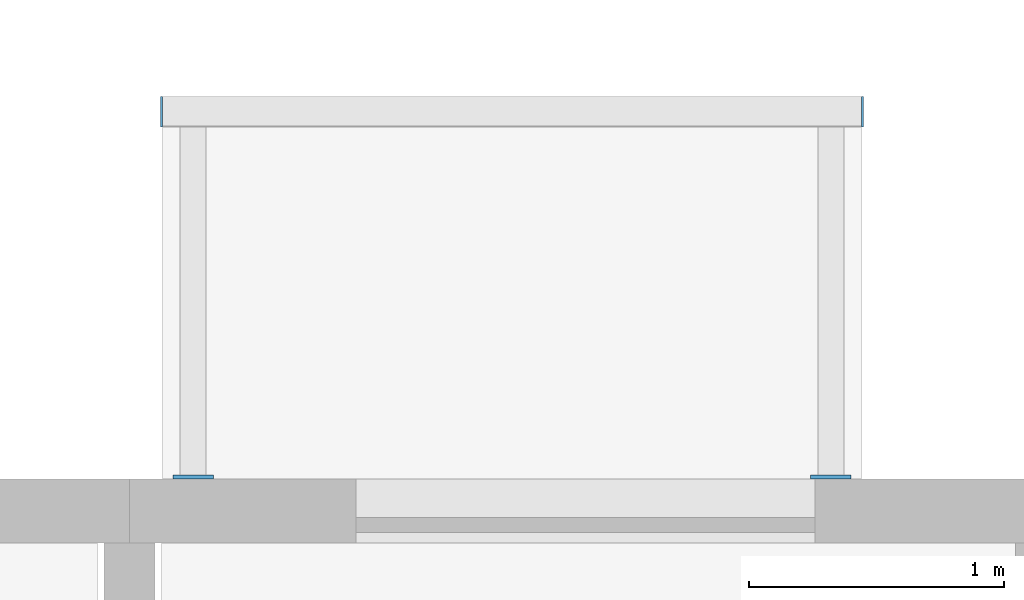
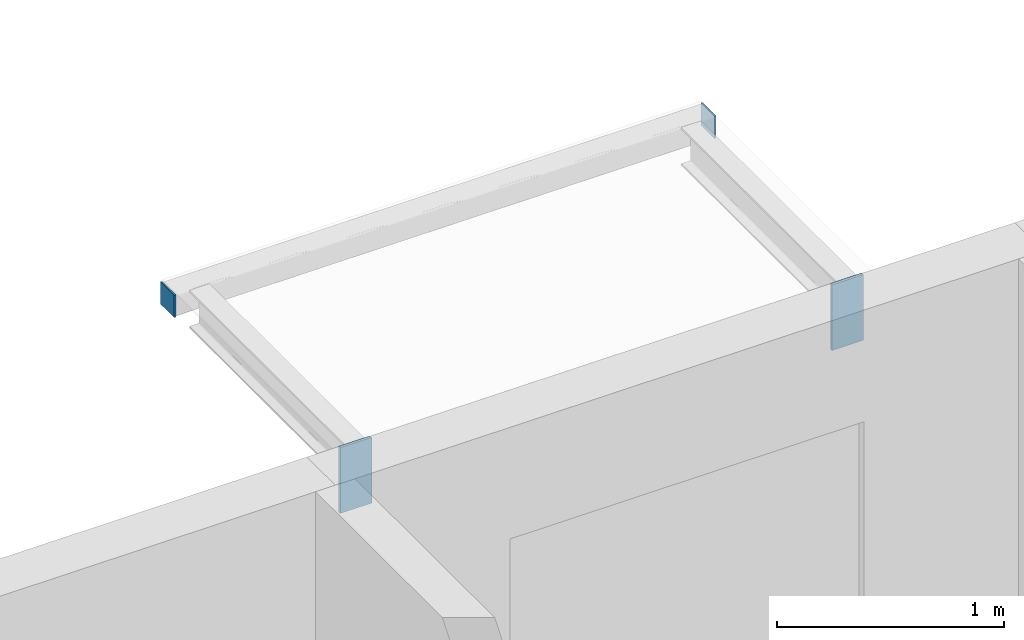
# One storey, part 68 of 99: 4 discrete accessories.
"""IFC4 building model written with IfcOpenShell, lengths in metres."""

from ifc_helpers import new_model, si_unit, direction, frame, origin, origin_2d, place, context, subcontext, project, spatial, rectangle, extrude, material, layer, layer_set, type_object, element, save


model = new_model("IFC4")

# Units and contexts
model_context = context("Model", 3, precision=1e-05, world=origin(), true_north=direction((0.0, 1.0)))
body_context = subcontext(model_context, "Body", "Model", "MODEL_VIEW")
ifc_project = project(units=[si_unit("LENGTHUNIT", "METRE"), si_unit("AREAUNIT", "SQUARE_METRE"), si_unit("VOLUMEUNIT", "CUBIC_METRE"), si_unit("PLANEANGLEUNIT", "RADIAN"), si_unit("MASSUNIT", "GRAM", prefix="KILO")], contexts=[model_context])

# Site, building, storey
site_placement = place(None, origin())
site = spatial("IfcSite", under=ifc_project, at=site_placement, CompositionType="ELEMENT")
building_placement = place(site_placement, origin())
building = spatial("IfcBuilding", under=site, at=building_placement, Name="Ridgestep Commons", CompositionType="ELEMENT")
storey_placement = place(building_placement, frame((0.0, 0.0, 15.0)))
storey = spatial("IfcBuildingStorey", under=building, at=storey_placement, Name="L05", CompositionType="ELEMENT", Elevation=15.0)

# Discrete accessories
ifc_material_1 = material(Name="Weathering steel S355J2W", Category="steel")
ifc_layer_1 = layer(ifc_material_1, 0.014892578125)
ifc_layer_set_1 = layer_set([ifc_layer_1], Name="Tray bracket plate 15")
discrete_accessory_type_1 = type_object("IfcDiscreteAccessoryType", Name="Tray bracket plate 15", PredefinedType="BRACKET", material=ifc_layer_set_1)
for number, where, z_axis, x_axis, name in (
    (1, (184.25, 23.007568359375, 2.63671875), (0.0, 0.0, 1.0), (1.0, 0.0, 0.0), "Tray bracket D3T2-06.1"),
    (2, (186.75, 23.007568359375, 2.63671875), (0.0, 0.0, 1.0), (1.0, 0.0, 0.0), "Tray bracket D3T2-06.2"),
):
    element("IfcDiscreteAccessory", number, at=place(storey_placement, frame(where, z_axis=z_axis, x_axis=x_axis)), inside=storey, type_object=discrete_accessory_type_1, Name=name, PredefinedType="BRACKET", context=body_context, shape_type="SweptSolid", body=[
        extrude(rectangle(XDim=0.159912109375, YDim=0.014892578125, at=origin_2d()), origin(), (0.0, 0.0, 1.0), 0.353271484375),
    ])
ifc_material_2 = material(Name="Weathering steel S355J2W", Category="steel")
ifc_layer_2 = layer(ifc_material_2, 0.008056640625)
ifc_layer_set_2 = layer_set([ifc_layer_2], Name="Tray edge member end plate 120 x 120 x 8")
discrete_accessory_type_2 = type_object("IfcDiscreteAccessoryType", Name="Tray edge member end plate 120 x 120 x 8", PredefinedType="BRACKET", material=ifc_layer_set_2)
for number, where, z_axis, x_axis, name in (
    (3, (184.1259765625, 24.43994140625, 2.869873046875), (0.0, 0.0, 1.0), (1.0, 0.0, 0.0), "Tray edge member end plate D3T2-06 west"),
    (4, (186.8740234375, 24.43994140625, 2.869873046875), (0.0, 0.0, 1.0), (1.0, 0.0, 0.0), "Tray edge member end plate D3T2-06 east"),
):
    element("IfcDiscreteAccessory", number, at=place(storey_placement, frame(where, z_axis=z_axis, x_axis=x_axis)), inside=storey, type_object=discrete_accessory_type_2, Name=name, PredefinedType="BRACKET", context=body_context, shape_type="SweptSolid", body=[
        extrude(rectangle(XDim=0.008056640625, YDim=0.1201171875, at=origin_2d()), origin(), (0.0, 0.0, 1.0), 0.1201171875),
    ])

save(model, "model.ifc")
